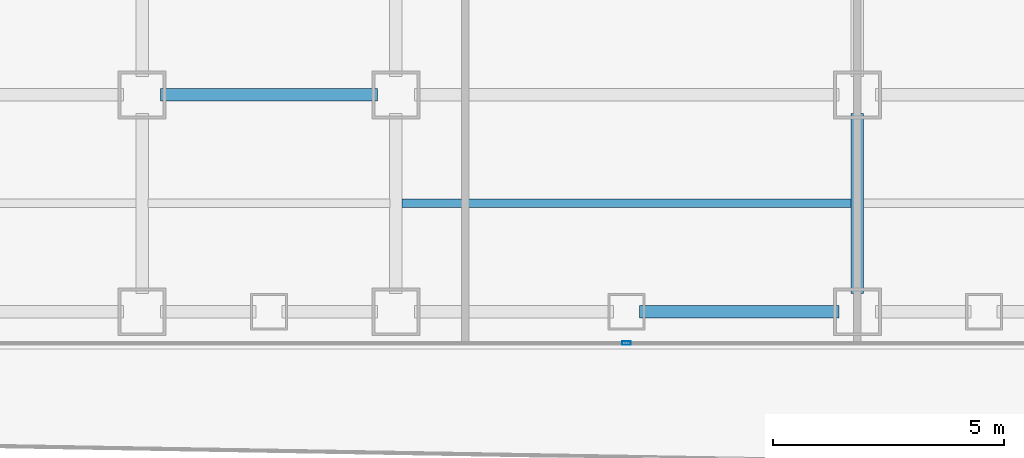
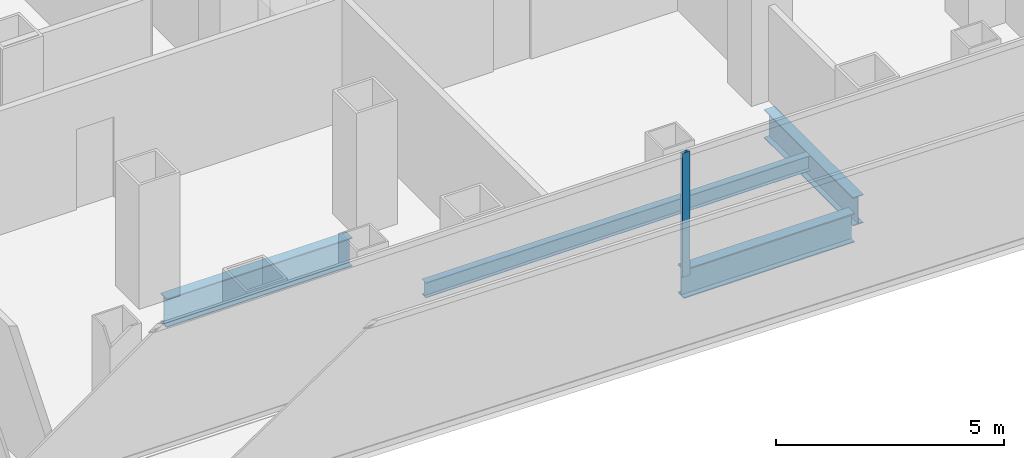
# One storey, part 4 of 21: 4 beams, 1 member, 1 element without a shape of its own.
"""IFC4 building model written with IfcOpenShell, lengths in metres."""

import ifcopenshell
import ifcopenshell.guid

model = None  # the IFC model being written
_history = None  # IfcOwnerHistory: only IFC2X3 demands one
_inside = {}  # id of a spatial element -> (the spatial element, [elements in it])
_under = {}  # id of a project, library or spatial element -> (it, [spatial elements below it])
_declared = {}  # id of a project -> (the project, [libraries it declares])
_typed = {}  # id of a type object -> (the type object, [elements of that type])
_made_of = {}  # id of a material, layer set ... -> (it, [elements and type objects made of it])


def new_model(schema):
    """Start an empty IFC model of exactly this schema.

    Asked for "IFC4X3", IfcOpenShell would pick the latest addendum, in which some entities
    have other attributes; the version numbers below select the first issue.
    IFC2X3 requires an IfcOwnerHistory on every rooted entity: one is made here for all.
    """
    global model, _history
    if schema == "IFC4X3":
        model = ifcopenshell.file(schema_version=(4, 3, 0, 0))
    else:
        model = ifcopenshell.file(schema=schema)
    _inside.clear()
    _under.clear()
    _declared.clear()
    _typed.clear()
    _made_of.clear()
    _history = None
    if model.schema == "IFC2X3":
        org = make("IfcOrganization", Name="unknown")
        user = make(
            "IfcPersonAndOrganization",
            ThePerson=make("IfcPerson", FamilyName="unknown"),
            TheOrganization=org,
        )
        app = make(
            "IfcApplication",
            ApplicationDeveloper=org,
            Version="unknown",
            ApplicationFullName="unknown",
            ApplicationIdentifier="unknown",
        )
        _history = make(
            "IfcOwnerHistory",
            OwningUser=user,
            OwningApplication=app,
            ChangeAction="ADDED",
            CreationDate=0,
        )
    return model


def make(cls, **values):
    """One entity of the class cls with the attributes given. An attribute that is None is left unset."""
    return model.create_entity(
        cls, **{name: value for name, value in values.items() if value is not None}
    )


def rooted(cls, **values):
    """An entity with a GlobalId (a new one), such as an element, a storey or a relation."""
    return make(cls, GlobalId=ifcopenshell.guid.new(), OwnerHistory=_history, **values)


def si_unit(unit_type, name, prefix=None):
    """IfcSIUnit, for example si_unit("LENGTHUNIT", "METRE", prefix="MILLI")."""
    return make("IfcSIUnit", UnitType=unit_type, Prefix=prefix, Name=name)


def assignment(units):
    """IfcUnitAssignment: the units of a project."""
    return None if units is None else make("IfcUnitAssignment", Units=units)


def point(xyz):
    """IfcCartesianPoint."""
    return None if xyz is None else make("IfcCartesianPoint", Coordinates=xyz)


def direction(xyz):
    """IfcDirection."""
    return None if xyz is None else make("IfcDirection", DirectionRatios=xyz)


def frame(location, z_axis=None, x_axis=None):
    """IfcAxis2Placement3D, a coordinate frame: its origin and axes. An axis left out is left unset."""
    return make(
        "IfcAxis2Placement3D",
        Location=point(location),
        Axis=direction(z_axis),
        RefDirection=direction(x_axis),
    )


def frame_2d(location, x_axis=None):
    """IfcAxis2Placement2D, a coordinate frame in the plane: its origin and x axis."""
    return make(
        "IfcAxis2Placement2D", Location=point(location), RefDirection=direction(x_axis)
    )


def origin():
    """The frame at (0, 0, 0) with its axes left unset."""
    return frame((0.0, 0.0, 0.0))


def origin_2d():
    """The frame at (0, 0) in the plane with its x axis left unset."""
    return frame_2d((0.0, 0.0))


def place(relative_to, where):
    """IfcLocalPlacement: puts the frame where relative to a parent placement (None: the world)."""
    return make(
        "IfcLocalPlacement", PlacementRelTo=relative_to, RelativePlacement=where
    )


def context(
    kind, dimensions, precision=None, world=None, true_north=None, identifier=None
):
    """IfcGeometricRepresentationContext, for example the 3D "Model" context."""
    return make(
        "IfcGeometricRepresentationContext",
        ContextIdentifier=identifier,
        ContextType=kind,
        CoordinateSpaceDimension=dimensions,
        Precision=precision,
        WorldCoordinateSystem=world,
        TrueNorth=true_north,
    )


def subcontext(parent, identifier, kind, view, scale=None):
    """IfcGeometricRepresentationSubContext, for example "Body" below "Model"."""
    return make(
        "IfcGeometricRepresentationSubContext",
        ContextIdentifier=identifier,
        ContextType=kind,
        ParentContext=parent,
        TargetScale=scale,
        TargetView=view,
    )


def project(units=None, contexts=None):
    """IfcProject with its units and contexts."""
    return rooted(
        "IfcProject",
        Name="project",
        RepresentationContexts=contexts,
        UnitsInContext=assignment(units),
    )


def spatial(cls, under=None, at=None, **own):
    """A site, building, storey or space (cls), placed at a placement, below another one or the project."""
    s = rooted(cls, ObjectPlacement=at, **own)
    if under is not None:
        _under.setdefault(under.id(), (under, []))[1].append(s)
    return s


def profile(cls, at=None, kind="AREA", **sizes):
    """A parametric profile (cls). Its sizes go by their IFC names, for example OverallWidth=200.0."""
    return make(cls, ProfileType=kind, Position=at, **sizes)


def hollow_rectangle(**sizes):
    """IfcRectangleHollowProfileDef."""
    return profile("IfcRectangleHollowProfileDef", **sizes)


def i_section(**sizes):
    """IfcIShapeProfileDef."""
    return profile("IfcIShapeProfileDef", **sizes)


def extrude(swept, where, along, depth):
    """IfcExtrudedAreaSolid: the profile swept, set in the frame where, extruded along a direction by depth."""
    return make(
        "IfcExtrudedAreaSolid",
        SweptArea=swept,
        Position=where,
        ExtrudedDirection=direction(along),
        Depth=depth,
    )


def shape(context_of_items, identifier, shape_type, items):
    """IfcShapeRepresentation: the items that make up one representation, for example the "Body"."""
    return make(
        "IfcShapeRepresentation",
        ContextOfItems=context_of_items,
        RepresentationIdentifier=identifier,
        RepresentationType=shape_type,
        Items=items,
    )


def source(mapping_origin, context_of_items, identifier, shape_type, items):
    """IfcRepresentationMap: a shape defined once, which mapped items show again and again."""
    return make(
        "IfcRepresentationMap",
        MappingOrigin=mapping_origin,
        MappedRepresentation=shape(context_of_items, identifier, shape_type, items),
    )


def transform(
    local_origin,
    x_axis=None,
    y_axis=None,
    z_axis=None,
    scale=None,
    scale2=None,
    scale3=None,
    uniform=True,
):
    """IfcCartesianTransformationOperator3D, or its non-uniform kind. x_axis, y_axis, z_axis: its Axis1, 2, 3."""
    if uniform:
        return make(
            "IfcCartesianTransformationOperator3D",
            Axis1=direction(x_axis),
            Axis2=direction(y_axis),
            LocalOrigin=point(local_origin),
            Scale=scale,
            Axis3=direction(z_axis),
        )
    return make(
        "IfcCartesianTransformationOperator3DnonUniform",
        Axis1=direction(x_axis),
        Axis2=direction(y_axis),
        LocalOrigin=point(local_origin),
        Scale=scale,
        Axis3=direction(z_axis),
        Scale2=scale2,
        Scale3=scale3,
    )


def mapped(mapping_source, mapping_target):
    """IfcMappedItem: shows the shape of a source again, moved by a transform."""
    return make(
        "IfcMappedItem", MappingSource=mapping_source, MappingTarget=mapping_target
    )


def material(Name=None, Category=None):
    """IfcMaterial."""
    return make("IfcMaterial", Name=Name, Category=Category)


def layer(
    of_material, thickness, ventilated=None, Name=None, Category=None, Priority=None
):
    """IfcMaterialLayer: one layer of a wall or slab, of a material (None: an air gap)."""
    return make(
        "IfcMaterialLayer",
        Material=of_material,
        LayerThickness=thickness,
        IsVentilated=ventilated,
        Name=Name,
        Category=Category,
        Priority=Priority,
    )


def layer_set(layers, Name=None):
    """IfcMaterialLayerSet."""
    return make("IfcMaterialLayerSet", MaterialLayers=layers, LayerSetName=Name)


def material_profile(
    of_material, cross_section, Name=None, Category=None, Priority=None
):
    """IfcMaterialProfile: a cross section and its material."""
    return make(
        "IfcMaterialProfile",
        Name=Name,
        Material=of_material,
        Profile=cross_section,
        Priority=Priority,
        Category=Category,
    )


def profile_set(profiles, Name=None, composite=None):
    """IfcMaterialProfileSet."""
    return make(
        "IfcMaterialProfileSet",
        Name=Name,
        MaterialProfiles=profiles,
        CompositeProfile=composite,
    )


def made_of(thing, what):
    """Note that an element or type object is made of a material, layer set ...; save() writes the relation."""
    if what is not None:
        _made_of.setdefault(what.id(), (what, []))[1].append(thing)
    return thing


def type_object(cls, material=None, **own):
    """A type object (cls), such as IfcWallType, which elements share."""
    return made_of(rooted(cls, **own), material)


def element(
    cls,
    number,
    at=None,
    inside=None,
    cuts=None,
    type_object=None,
    material=None,
    context=None,
    identifier="Body",
    shape_type=None,
    held_by="IfcProductDefinitionShape",
    body=None,
    shapes=None,
    **own,
):
    """One element of the class cls, such as IfcWall. Its Tag is "e" and its number.

    at: its placement. inside: the storey or other place that contains it. cuts: it is an
    opening in that element (IfcRelVoidsElement). A single representation is given by context,
    identifier, shape_type and body (its items); several are given by shapes. held_by: the class
    of the entity that holds the representations. save() writes the other relations.
    """
    e = rooted(cls, Tag="e%d" % number, ObjectPlacement=at, **own)
    if body is not None:
        shapes = [shape(context, identifier, shape_type, body)]
    if shapes is not None:
        e.Representation = make(held_by, Representations=shapes)
    if inside is not None:
        _inside.setdefault(inside.id(), (inside, []))[1].append(e)
    if cuts is not None:
        rooted(
            "IfcRelVoidsElement", RelatingBuildingElement=cuts, RelatedOpeningElement=e
        )
    if type_object is not None:
        _typed.setdefault(type_object.id(), (type_object, []))[1].append(e)
    return made_of(e, material)


def aggregate(whole, parts):
    """IfcRelAggregates: a whole, such as a stair, and the parts it consists of."""
    return rooted("IfcRelAggregates", RelatingObject=whole, RelatedObjects=parts)


def save(model, path):
    """Write the relations noted so far, then the file.

    IfcRelAggregates (storeys below a building ...), IfcRelContainedInSpatialStructure (elements
    in a storey), IfcRelDefinesByType, IfcRelAssociatesMaterial and IfcRelDeclares: one each for
    every whole, place, type object, material and project.
    """
    for whole, parts in _under.values():
        aggregate(whole, parts)
    for where, things in _inside.values():
        rooted(
            "IfcRelContainedInSpatialStructure",
            RelatedElements=things,
            RelatingStructure=where,
        )
    for kind, things in _typed.values():
        rooted("IfcRelDefinesByType", RelatedObjects=things, RelatingType=kind)
    for what, things in _made_of.values():
        rooted("IfcRelAssociatesMaterial", RelatedObjects=things, RelatingMaterial=what)
    for by, libraries in _declared.values():
        rooted("IfcRelDeclares", RelatingContext=by, RelatedDefinitions=libraries)
    model.write(path)


model = new_model("IFC4")

# Units and contexts
model_context = context("Model", 3, precision=1e-05, world=origin(), true_north=direction((0.0, 1.0)))
body_context = subcontext(model_context, "Body", "Model", "MODEL_VIEW")
ifc_project = project(units=[si_unit("LENGTHUNIT", "METRE"), si_unit("AREAUNIT", "SQUARE_METRE"), si_unit("VOLUMEUNIT", "CUBIC_METRE"), si_unit("PLANEANGLEUNIT", "RADIAN"), si_unit("MASSUNIT", "GRAM", prefix="KILO")], contexts=[model_context])

# Site, building, storey
site_placement = place(None, origin())
site = spatial("IfcSite", under=ifc_project, at=site_placement, CompositionType="ELEMENT")
building_placement = place(site_placement, origin())
building = spatial("IfcBuilding", under=site, at=building_placement, Name="Kolveth Station Tower", CompositionType="ELEMENT")
storey_placement = place(building_placement, frame((0.0, 0.0, 40.5)))
storey = spatial("IfcBuildingStorey", under=building, at=storey_placement, Name="L10", CompositionType="ELEMENT", Elevation=40.5)

# Beams
ifc_material_1 = material(Name="Steel S355", Category="steel")
ifc_material_profile_1 = material_profile(ifc_material_1, i_section(OverallWidth=0.26904296875, OverallDepth=0.77490234375, WebThickness=0.01708984375, FlangeThickness=0.0283203125, at=origin_2d()), Name="W760x220")
ifc_profile_set_1 = profile_set([ifc_material_profile_1], Name="Steel S355")
beam_type_1 = type_object("IfcBeamType", Name="Beam_SP1", PredefinedType="SPANDREL", material=ifc_profile_set_1)
shared_shape_1 = source(origin(), body_context, "Body", "SweptSolid", [
    extrude(i_section(OverallWidth=0.26904296875, OverallDepth=0.77490234375, WebThickness=0.01708984375, FlangeThickness=0.0283203125, at=origin_2d()), origin(), (0.0, 0.0, 1.0), 4.320068359375),
])
beam_1_placement = place(storey_placement, frame((23.780029296875, 0.800048828125, -0.66748046875), z_axis=(1.0, 0.0, 0.0), x_axis=(0.0, 1.0, 0.0)))
element("IfcBeam", 1, at=beam_1_placement, inside=storey, type_object=beam_type_1, Name="L10 Perimeter Spandrel BM-L10-PS-6", PredefinedType="SPANDREL", context=body_context, shape_type="MappedRepresentation", body=[
    mapped(shared_shape_1, transform((0.0, 0.0, 0.0), x_axis=(1.0, 0.0, 0.0), y_axis=(0.0, 1.0, 0.0), z_axis=(0.0, 0.0, 1.0), scale=1.0)),
])
ifc_material_profile_2 = material_profile(ifc_material_1, i_section(OverallWidth=0.26708984375, OverallDepth=0.76611328125, WebThickness=0.014892578125, FlangeThickness=0.023681640625, at=origin_2d()), Name="W760x185")
ifc_profile_set_2 = profile_set([ifc_material_profile_2], Name="Steel S355")
beam_type_2 = type_object("IfcBeamType", Name="Beam_B3", PredefinedType="BEAM", material=ifc_profile_set_2)
shared_shape_2 = source(origin(), body_context, "Body", "SweptSolid", [
    extrude(i_section(OverallWidth=0.26708984375, OverallDepth=0.76611328125, WebThickness=0.014892578125, FlangeThickness=0.023681640625, at=origin_2d()), origin(), (0.0, 0.0, 1.0), 4.7001953125),
])
beam_2_placement = place(storey_placement, frame((13.39990234375, 5.5, -0.6630859375), z_axis=(1.0, 0.0, 0.0), x_axis=(0.0, 1.0, 0.0)))
element("IfcBeam", 2, at=beam_2_placement, inside=storey, type_object=beam_type_2, Name="L10 Primary Girder BM-L10-GY55-3", PredefinedType="BEAM", context=body_context, shape_type="MappedRepresentation", body=[
    mapped(shared_shape_2, transform((0.0, 0.0, 0.0), x_axis=(1.0, 0.0, 0.0), y_axis=(0.0, 1.0, 0.0), z_axis=(0.0, 0.0, 1.0), scale=1.0)),
])
shared_shape_3 = source(origin(), body_context, "Body", "SweptSolid", [
    extrude(i_section(OverallWidth=0.26708984375, OverallDepth=0.76611328125, WebThickness=0.014892578125, FlangeThickness=0.023681640625, at=origin_2d()), origin(), (0.0, 0.0, 1.0), 3.900146484375),
])
beam_3_placement = place(storey_placement, frame((28.5, 1.199951171875, -0.6630859375), z_axis=(0.0, 1.0, 0.0), x_axis=(-1.0, 0.0, 0.0)))
element("IfcBeam", 3, at=beam_3_placement, inside=storey, type_object=beam_type_2, Name="L10 Primary Girder BM-L10-GX285-1", PredefinedType="BEAM", context=body_context, shape_type="MappedRepresentation", body=[
    mapped(shared_shape_3, transform((0.0, 0.0, 0.0), x_axis=(1.0, 0.0, 0.0), y_axis=(0.0, 1.0, 0.0), z_axis=(0.0, 0.0, 1.0), scale=1.0)),
])
ifc_material_profile_3 = material_profile(ifc_material_1, i_section(OverallWidth=0.177978515625, OverallDepth=0.406982421875, WebThickness=0.0078125, FlangeThickness=0.0126953125, at=origin_2d()), Name="W410x60")
ifc_profile_set_3 = profile_set([ifc_material_profile_3], Name="Steel S355")
beam_type_3 = type_object("IfcBeamType", Name="Beam_J1", PredefinedType="JOIST", material=ifc_profile_set_3)
shared_shape_4 = source(origin(), body_context, "Body", "SweptSolid", [
    extrude(i_section(OverallWidth=0.177978515625, OverallDepth=0.406982421875, WebThickness=0.0078125, FlangeThickness=0.0126953125, at=origin_2d()), origin(), (0.0, 0.0, 1.0), 9.73681640625),
])
beam_4_placement = place(storey_placement, frame((18.631591796875, 3.14990234375, -0.4833984375), z_axis=(1.0, 0.0, 0.0), x_axis=(0.0, 1.0, 0.0)))
element("IfcBeam", 4, at=beam_4_placement, inside=storey, type_object=beam_type_3, Name="L10 Secondary Joist JST-L10-4-1", PredefinedType="JOIST", context=body_context, shape_type="MappedRepresentation", body=[
    mapped(shared_shape_4, transform((0.0, 0.0, 0.0), x_axis=(1.0, 0.0, 0.0), y_axis=(0.0, 1.0, 0.0), z_axis=(0.0, 0.0, 1.0), scale=1.0)),
])

# Curtain wall, member
ifc_material_2 = material(Name="Aluminium 6063-T6 and low-E dark glass", Category="aluminium")
ifc_layer = layer(ifc_material_2, 0.179931640625)
ifc_layer_set = layer_set([ifc_layer], Name="Aluminium 6063-T6 and low-E dark glass")
curtain_wall_type = type_object("IfcCurtainWallType", Name="CurtainWall_CW-Z1", PredefinedType="NOTDEFINED", material=ifc_layer_set)
curtain_wall_placement = place(storey_placement, origin())
curtain_wall = element("IfcCurtainWall", 5, at=curtain_wall_placement, inside=storey, type_object=curtain_wall_type, Name="L10 Inner Thermal Curtain Wall 12", PredefinedType="NOTDEFINED")
ifc_material_3 = material(Name="Black anodized aluminium 6063-T6", Category="aluminium")
ifc_material_profile_4 = material_profile(ifc_material_3, hollow_rectangle(XDim=0.074951171875, YDim=0.18994140625, WallThickness=0.0048828125, at=origin_2d()), Name="ALU-75x190x5")
ifc_profile_set_4 = profile_set([ifc_material_profile_4], Name="Black anodized aluminium 6063-T6")
member_type = type_object("IfcMemberType", Name="Mullion_ML1", PredefinedType="MULLION", material=ifc_profile_set_4)
shared_shape_5 = source(origin(), body_context, "Body", "SweptSolid", [
    extrude(hollow_rectangle(XDim=0.074951171875, YDim=0.18994140625, WallThickness=0.0048828125, at=origin_2d()), origin(), (0.0, 0.0, 1.0), 3.320068359375),
])
member_placement = place(storey_placement, frame((23.5, 0.1201171875, 0.0), z_axis=(0.0, 0.0, 1.0), x_axis=(0.0, 1.0, 0.0)))
member = element("IfcMember", 6, at=member_placement, type_object=member_type, Name="CW-Z1 mullion 2", PredefinedType="MULLION", context=body_context, shape_type="MappedRepresentation", body=[
    mapped(shared_shape_5, transform((0.0, 0.0, 0.0), x_axis=(1.0, 0.0, 0.0), y_axis=(0.0, 1.0, 0.0), z_axis=(0.0, 0.0, 1.0), scale=1.0)),
])
aggregate(curtain_wall, [member])

save(model, "model.ifc")
